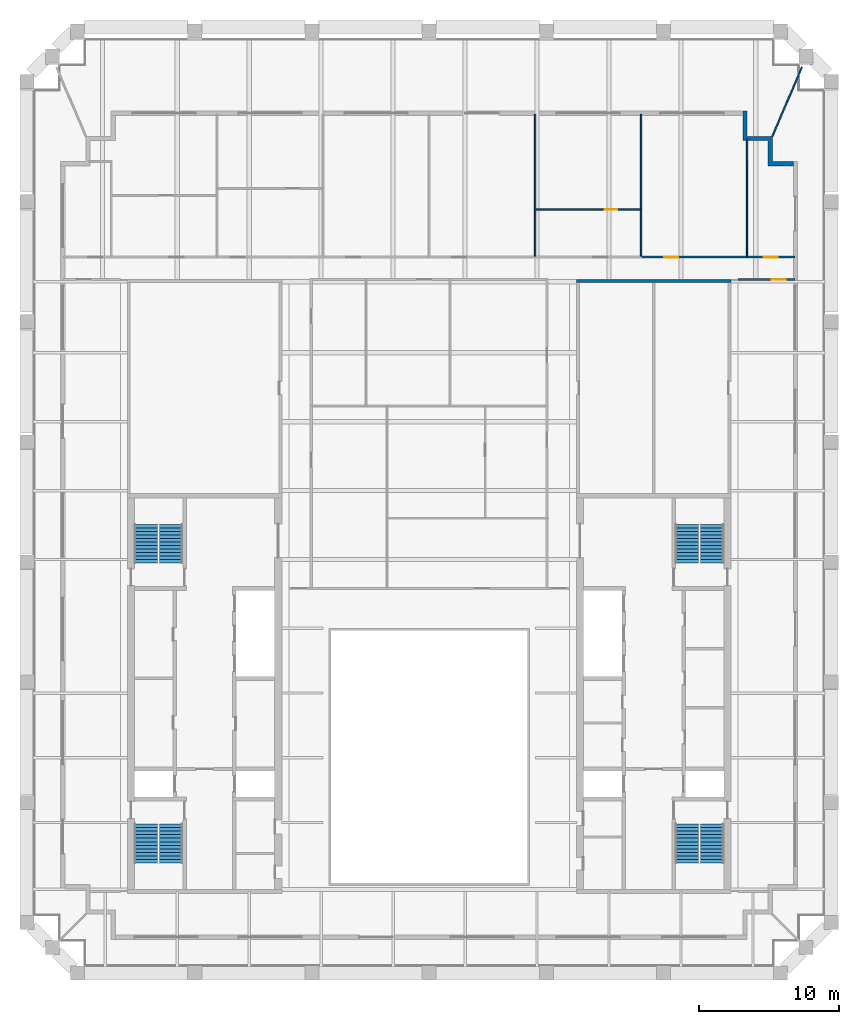
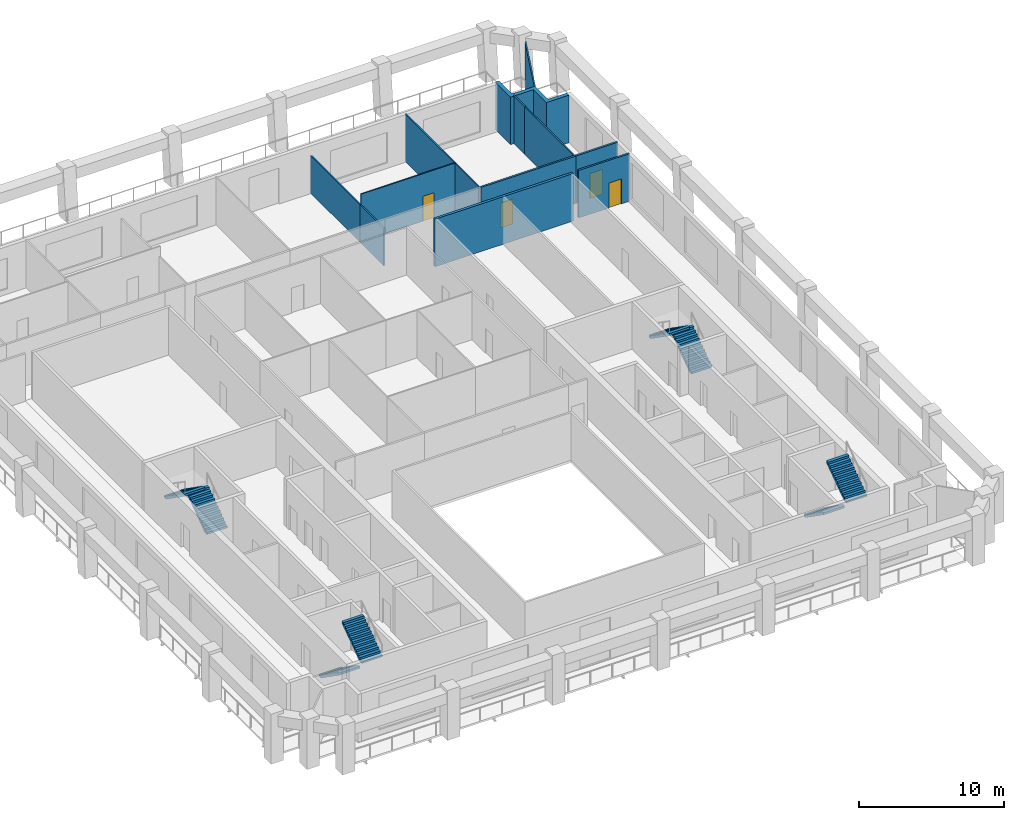
# One storey, part 7 of 8: 13 walls, 8 stair flights, 4 doors, 4 openings, 4 elements without a shape of their own.
"""IFC4 building model written with IfcOpenShell, lengths in metres."""

from ifc_helpers import new_model, si_unit, direction, frame, frame_2d, origin, place, context, subcontext, project, spatial, polyline, rectangle, outline, extrude, material, layer, layer_set, type_object, element, fill, aggregate, save


model = new_model("IFC4")

# Units and contexts
model_context = context("Model", 3, precision=1e-05, world=origin(), true_north=direction((0.0, 1.0)))
body_context = subcontext(model_context, "Body", "Model", "MODEL_VIEW")
ifc_project = project(units=[si_unit("LENGTHUNIT", "METRE"), si_unit("AREAUNIT", "SQUARE_METRE"), si_unit("VOLUMEUNIT", "CUBIC_METRE"), si_unit("PLANEANGLEUNIT", "RADIAN"), si_unit("MASSUNIT", "GRAM", prefix="KILO")], contexts=[model_context])

# Site, building, storey
site_placement = place(None, origin())
site = spatial("IfcSite", under=ifc_project, at=site_placement, CompositionType="ELEMENT")
building_placement = place(site_placement, origin())
building = spatial("IfcBuilding", under=site, at=building_placement, Name="Ogive Exchange Tower", CompositionType="ELEMENT")
storey_placement = place(building_placement, frame((0.0, 0.0, 338.39990234375)))
storey = spatial("IfcBuildingStorey", under=building, at=storey_placement, Name="L74", CompositionType="ELEMENT", Elevation=338.39990234375)

# Wall, opening, door
ifc_material_1 = material(Name="Fire partition EI 60 150")
ifc_layer_1 = layer(ifc_material_1, 0.14990234375)
ifc_layer_set_1 = layer_set([ifc_layer_1], Name="Fire partition EI 60 150")
wall_type_1 = type_object("IfcWallType", Name="Fire partition EI 60 150", PredefinedType="PARTITIONING", material=ifc_layer_set_1)
wall_1_placement = place(storey_placement, frame((15.14990234375, 42.60009765625, 0.0), z_axis=(0.0, 0.0, 1.0), x_axis=(1.0, 0.0, 0.0)))
wall_1 = element("IfcWall", 1, at=wall_1_placement, inside=storey, type_object=wall_type_1, Name="L74-PWL-046", PredefinedType="PARTITIONING", context=body_context, shape_type="SweptSolid", body=[
    extrude(rectangle(XDim=7.550048828125, YDim=0.14990234375, at=frame_2d((3.77490234375, 0.0))), origin(), (0.0, 0.0, 1.0), 4.0),
])
opening_1_placement = place(wall_1_placement, frame((1.60009765625, 0.0, 0.0)))
opening_1 = element("IfcOpeningElement", 2, at=opening_1_placement, cuts=wall_1, Name="Opening L74-I06", PredefinedType="OPENING", context=body_context, shape_type="SweptSolid", body=[
    extrude(rectangle(XDim=1.0, YDim=2.10009765625, at=frame_2d((0.5, 1.050048828125))), frame((0.0, 0.0849609375, 0.0), z_axis=(0.0, -1.0, 0.0), x_axis=(1.0, 0.0, 0.0)), (0.0, 0.0, 1.0), 0.169921875),
])
ifc_material_2 = material(Name="Fire door FD 30S 1000 x 2100")
door_type_1 = type_object("IfcDoorType", Name="Fire door FD 30S 1000 x 2100", OperationType="NOTDEFINED", PredefinedType="DOOR", material=ifc_material_2)
door_1_placement = place(opening_1_placement, origin())
door_1 = element("IfcDoor", 3, at=door_1_placement, inside=storey, type_object=door_type_1, Name="L74-IDR-006", ObjectType="DT3", OperationType="SINGLE_SWING_RIGHT", OverallHeight=2.10009765625, OverallWidth=1.0, PredefinedType="DOOR", context=body_context, shape_type="SweptSolid", body=[
    extrude(rectangle(XDim=1.0, YDim=2.10009765625, at=frame_2d((0.5, 1.050048828125))), frame((0.0, 0.02490234375, 0.0), z_axis=(0.0, -1.0, 0.0), x_axis=(1.0, 0.0, 0.0)), (0.0, 0.0, 1.0), 0.050048828125),
])
fill(opening_1, door_1)

wall_2_placement = place(storey_placement, frame((22.699951171875, 42.60009765625, 0.0), z_axis=(0.0, 0.0, 1.0), x_axis=(1.0, 0.0, 0.0)))
wall_2 = element("IfcWall", 4, at=wall_2_placement, inside=storey, type_object=wall_type_1, Name="L74-PWL-052", PredefinedType="PARTITIONING", context=body_context, shape_type="SweptSolid", body=[
    extrude(rectangle(XDim=3.35009765625, YDim=0.14990234375, at=frame_2d((1.675048828125, 0.0))), origin(), (0.0, 0.0, 1.0), 4.0),
])
opening_2_placement = place(wall_2_placement, frame((1.14990234375, 0.0, 0.0)))
opening_2 = element("IfcOpeningElement", 5, at=opening_2_placement, cuts=wall_2, Name="Opening L74-I05", PredefinedType="OPENING", context=body_context, shape_type="SweptSolid", body=[
    extrude(rectangle(XDim=1.0, YDim=2.10009765625, at=frame_2d((0.5, 1.050048828125))), frame((0.0, 0.0849609375, 0.0), z_axis=(0.0, -1.0, 0.0), x_axis=(1.0, 0.0, 0.0)), (0.0, 0.0, 1.0), 0.169921875),
])
door_2_placement = place(opening_2_placement, origin())
door_2 = element("IfcDoor", 6, at=door_2_placement, inside=storey, type_object=door_type_1, Name="L74-IDR-005", ObjectType="DT3", OperationType="SINGLE_SWING_RIGHT", OverallHeight=2.10009765625, OverallWidth=1.0, PredefinedType="DOOR", context=body_context, shape_type="SweptSolid", body=[
    extrude(rectangle(XDim=1.0, YDim=2.10009765625, at=frame_2d((0.5, 1.050048828125))), frame((0.0, 0.02490234375, 0.0), z_axis=(0.0, -1.0, 0.0), x_axis=(1.0, 0.0, 0.0)), (0.0, 0.0, 1.0), 0.050048828125),
])
fill(opening_2, door_2)

wall_3_placement = place(storey_placement, frame((26.050048828125, 41.0, 0.0), z_axis=(0.0, 0.0, 1.0), x_axis=(-1.0, 0.0, 0.0)))
wall_3 = element("IfcWall", 7, at=wall_3_placement, inside=storey, type_object=wall_type_1, Name="L74-PWL-054", PredefinedType="PARTITIONING", context=body_context, shape_type="SweptSolid", body=[
    extrude(rectangle(XDim=4.050048828125, YDim=0.14990234375, at=frame_2d((2.02490234375, 0.0))), origin(), (0.0, 0.0, 1.0), 4.0),
])
opening_3_placement = place(wall_3_placement, frame((0.64990234375, 0.0, 0.0)))
opening_3 = element("IfcOpeningElement", 8, at=opening_3_placement, cuts=wall_3, Name="Opening L74-I20", PredefinedType="OPENING", context=body_context, shape_type="SweptSolid", body=[
    extrude(rectangle(XDim=1.0, YDim=2.10009765625, at=frame_2d((0.5, 1.050048828125))), frame((0.0, 0.0849609375, 0.0), z_axis=(0.0, -1.0, 0.0), x_axis=(1.0, 0.0, 0.0)), (0.0, 0.0, 1.0), 0.169921875),
])
door_3_placement = place(opening_3_placement, origin())
door_3 = element("IfcDoor", 9, at=door_3_placement, inside=storey, type_object=door_type_1, Name="L74-IDR-020", ObjectType="DT3", OperationType="SINGLE_SWING_RIGHT", OverallHeight=2.10009765625, OverallWidth=1.0, PredefinedType="DOOR", context=body_context, shape_type="SweptSolid", body=[
    extrude(rectangle(XDim=1.0, YDim=2.10009765625, at=frame_2d((0.5, 1.050048828125))), frame((0.0, 0.02490234375, 0.0), z_axis=(0.0, -1.0, 0.0), x_axis=(1.0, 0.0, 0.0)), (0.0, 0.0, 1.0), 0.050048828125),
])
fill(opening_3, door_3)

# Walls
ifc_material_3 = material(Name="Precast concrete C40/50", Category="concrete")
ifc_layer_2 = layer(ifc_material_3, 0.300048828125)
ifc_layer_set_2 = layer_set([ifc_layer_2], Name="Limestone-faced wall 300")
wall_type_2 = type_object("IfcWallType", Name="Limestone-faced wall 300", PredefinedType="STANDARD", material=ifc_layer_set_2)
wall_4_placement = place(storey_placement, origin())
element("IfcWall", 10, at=wall_4_placement, inside=storey, type_object=wall_type_2, Name="External corner wall C2", PredefinedType="STANDARD", context=body_context, shape_type="SweptSolid", body=[
    extrude(outline(polyline([(24.14990234375, 50.89990234375), (22.35009765625, 50.89990234375), (22.35009765625, 53.0), (22.64990234375, 53.0), (22.64990234375, 51.199951171875), (24.449951171875, 51.199951171875), (24.449951171875, 49.39990234375), (25.949951171875, 49.39990234375), (25.949951171875, 49.10009765625), (24.14990234375, 49.10009765625), (24.14990234375, 50.89990234375)])), origin(), (0.0, 0.0, 1.0), 4.0),
])
ifc_material_4 = material(Name="Laminated safety glass in steel frame", Category="steel")
ifc_layer_3 = layer(ifc_material_4, 0.10009765625)
ifc_layer_set_3 = layer_set([ifc_layer_3], Name="Loggia end screen 100")
wall_type_3 = type_object("IfcWallType", Name="Loggia end screen 100", PredefinedType="STANDARD", material=ifc_layer_set_3)
wall_5_placement = place(storey_placement, frame((24.449951171875, 51.199951171875, -0.0498046875), z_axis=(0.0, 0.0, 1.0), x_axis=(0.392867927022, 0.919594906422, 0.0)))
element("IfcWall", 11, at=wall_5_placement, inside=storey, type_object=wall_type_3, Name="Loggia end screen C2", PredefinedType="STANDARD", context=body_context, shape_type="SweptSolid", body=[
    extrude(rectangle(XDim=5.38232421875, YDim=0.10009765625, at=frame_2d((2.691162109375, 0.0))), origin(), (0.0, 0.0, 1.0), 4.0498046875),
])
ifc_material_5 = material(Name="Partition 100 gypsum")
ifc_layer_4 = layer(ifc_material_5, 0.10009765625)
ifc_layer_set_4 = layer_set([ifc_layer_4], Name="Partition 100 gypsum")
wall_type_4 = type_object("IfcWallType", Name="Partition 100 gypsum", PredefinedType="PARTITIONING", material=ifc_layer_set_4)
wall_6_placement = place(storey_placement, frame((7.550048828125, 45.949951171875, 0.0), z_axis=(0.0, 0.0, 1.0), x_axis=(0.0, -1.0, 0.0)))
element("IfcWall", 12, at=wall_6_placement, inside=storey, type_object=wall_type_4, Name="L74-PWL-039", PredefinedType="PARTITIONING", context=body_context, shape_type="SweptSolid", body=[
    extrude(rectangle(XDim=3.27490234375, YDim=0.10009765625, at=frame_2d((1.637451171875, 0.0))), origin(), (0.0, 0.0, 1.0), 3.1640625),
])
wall_7_placement = place(storey_placement, frame((7.550048828125, 52.800048828125, 0.0), z_axis=(0.0, 0.0, 1.0), x_axis=(0.0, -1.0, 0.0)))
element("IfcWall", 13, at=wall_7_placement, inside=storey, type_object=wall_type_4, Name="L74-PWL-040", PredefinedType="PARTITIONING", context=body_context, shape_type="SweptSolid", body=[
    extrude(rectangle(XDim=6.85009765625, YDim=0.10009765625, at=frame_2d((3.425048828125, 0.0))), origin(), (0.0, 0.0, 1.0), 3.1640625),
])

# Wall, opening, door
wall_8_placement = place(storey_placement, frame((15.14990234375, 46.0, 0.0), z_axis=(0.0, 0.0, 1.0), x_axis=(-1.0, 0.0, 0.0)))
wall_8 = element("IfcWall", 14, at=wall_8_placement, inside=storey, type_object=wall_type_4, Name="L74-PWL-047", PredefinedType="PARTITIONING", context=body_context, shape_type="SweptSolid", body=[
    extrude(rectangle(XDim=7.5498046875, YDim=0.10009765625, at=frame_2d((3.77490234375, 0.0))), origin(), (0.0, 0.0, 1.0), 4.0),
])
opening_4_placement = place(wall_8_placement, frame((1.75, 0.0, 0.0)))
opening_4 = element("IfcOpeningElement", 15, at=opening_4_placement, cuts=wall_8, Name="Opening L74-I03", PredefinedType="OPENING", context=body_context, shape_type="SweptSolid", body=[
    extrude(rectangle(XDim=0.89990234375, YDim=2.10009765625, at=frame_2d((0.449951171875, 1.050048828125))), frame((0.0, 0.06005859375, 0.0), z_axis=(0.0, -1.0, 0.0), x_axis=(1.0, 0.0, 0.0)), (0.0, 0.0, 1.0), 0.1201171875),
])
ifc_material_6 = material(Name="Door 900 x 2100")
door_type_2 = type_object("IfcDoorType", Name="Door 900 x 2100", OperationType="NOTDEFINED", PredefinedType="DOOR", material=ifc_material_6)
door_4_placement = place(opening_4_placement, origin())
door_4 = element("IfcDoor", 16, at=door_4_placement, inside=storey, type_object=door_type_2, Name="L74-IDR-003", ObjectType="DT1", OperationType="SINGLE_SWING_RIGHT", OverallHeight=2.10009765625, OverallWidth=0.89990234375, PredefinedType="DOOR", context=body_context, shape_type="SweptSolid", body=[
    extrude(rectangle(XDim=0.89990234375, YDim=2.10009765625, at=frame_2d((0.449951171875, 1.050048828125))), frame((0.0, 0.02490234375, 0.0), z_axis=(0.0, -1.0, 0.0), x_axis=(1.0, 0.0, 0.0)), (0.0, 0.0, 1.0), 0.050048828125),
])
fill(opening_4, door_4)

# Walls
wall_9_placement = place(storey_placement, frame((15.10009765625, 45.949951171875, 0.0), z_axis=(0.0, 0.0, 1.0), x_axis=(0.0, -1.0, 0.0)))
element("IfcWall", 17, at=wall_9_placement, inside=storey, type_object=wall_type_4, Name="L74-PWL-048", PredefinedType="PARTITIONING", context=body_context, shape_type="SweptSolid", body=[
    extrude(rectangle(XDim=3.27490234375, YDim=0.10009765625, at=frame_2d((1.637451171875, 0.0))), origin(), (0.0, 0.0, 1.0), 4.0),
])
wall_10_placement = place(storey_placement, frame((15.10009765625, 52.800048828125, 0.0), z_axis=(0.0, 0.0, 1.0), x_axis=(0.0, -1.0, 0.0)))
element("IfcWall", 18, at=wall_10_placement, inside=storey, type_object=wall_type_4, Name="L74-PWL-049", PredefinedType="PARTITIONING", context=body_context, shape_type="SweptSolid", body=[
    extrude(rectangle(XDim=6.75, YDim=0.10009765625, at=frame_2d((3.375, 0.0))), origin(), (0.0, 0.0, 1.0), 4.0),
])
wall_11_placement = place(storey_placement, frame((22.64990234375, 42.675048828125, 0.0), z_axis=(0.0, 0.0, 1.0), x_axis=(0.0, 1.0, 0.0)))
element("IfcWall", 19, at=wall_11_placement, inside=storey, type_object=wall_type_4, Name="L74-PWL-051", PredefinedType="PARTITIONING", context=body_context, shape_type="SweptSolid", body=[
    extrude(rectangle(XDim=6.73486328125, YDim=0.10009765625, at=frame_2d((3.367431640625, 0.0))), origin(), (0.0, 0.0, 1.0), 4.0),
])
wall_12_placement = place(storey_placement, frame((22.659912109375, 49.409912109375, 0.0), z_axis=(0.0, 0.0, 1.0), x_axis=(0.0, 1.0, 0.0)))
element("IfcWall", 20, at=wall_12_placement, inside=storey, type_object=wall_type_4, Name="L74-PWL-053", PredefinedType="PARTITIONING", context=body_context, shape_type="SweptSolid", body=[
    extrude(rectangle(XDim=1.590087890625, YDim=0.10009765625, at=frame_2d((0.794921875, 0.0))), origin(), (0.0, 0.0, 1.0), 4.0),
])
ifc_material_7 = material(Name="Concrete C70/85", Category="concrete")
ifc_layer_5 = layer(ifc_material_7, 0.199951171875)
ifc_layer_set_5 = layer_set([ifc_layer_5], Name="RC core wall 200 C70/85")
wall_type_5 = type_object("IfcWallType", Name="RC core wall 200 C70/85", PredefinedType="SHEAR", material=ifc_layer_set_5)
wall_13_placement = place(storey_placement, frame((10.5, 40.89990234375, 0.0), z_axis=(0.0, 0.0, 1.0), x_axis=(1.0, 0.0, 0.0)))
element("IfcWall", 21, at=wall_13_placement, inside=storey, type_object=wall_type_5, Name="E annex N end wall", PredefinedType="SHEAR", context=body_context, shape_type="SweptSolid", body=[
    extrude(rectangle(XDim=11.0, YDim=0.199951171875, at=frame_2d((5.5, 0.0))), origin(), (0.0, 0.0, 1.0), 4.0),
])

# Stair, stair flights
ifc_material_8 = material(Name="Concrete C40/50", Category="concrete")
stair_type = type_object("IfcStairType", Name="Exit stair 1650 wide", PredefinedType="HALF_TURN_STAIR", material=ifc_material_8)
stair_1_placement = place(storey_placement, origin())
stair_1 = element("IfcStair", 22, at=stair_1_placement, inside=storey, type_object=stair_type, Name="L74 exit stair ST1", PredefinedType="HALF_TURN_STAIR")
stair_flight_type = type_object("IfcStairFlightType", Name="Stair flight 1650 wide", PredefinedType="STRAIGHT", material=ifc_material_8)
stair_flight_1_placement = place(storey_placement, frame((-20.175048828125, 2.199951171875, 0.0), z_axis=(0.0, 0.0, 1.0), x_axis=(0.0, -1.0, 0.0)))
stair_flight_1 = element("IfcStairFlight", 23, at=stair_flight_1_placement, type_object=stair_flight_type, Name="ST1 flight 1", NumberOfRisers=12, NumberOfTreads=11, PredefinedType="STRAIGHT", RiserHeight=0.175, TreadLength=0.25, context=body_context, shape_type="SweptSolid", body=[
    extrude(outline(polyline([(0.0, 0.0), (0.0, 0.175048828125), (0.25, 0.175048828125), (0.25, 0.35009765625), (0.5, 0.35009765625), (0.5, 0.52490234375), (0.75, 0.52490234375), (0.75, 0.699951171875), (1.0, 0.699951171875), (1.0, 0.875), (1.25, 0.875), (1.25, 1.050048828125), (1.5, 1.050048828125), (1.5, 1.22509765625), (1.75, 1.22509765625), (1.75, 1.39990234375), (2.0, 1.39990234375), (2.0, 1.574951171875), (2.25, 1.574951171875), (2.25, 1.75), (2.5, 1.75), (2.5, 1.925048828125), (2.75, 1.925048828125), (2.75, 2.10009765625), (2.75, 1.741943359375), (0.261474609375, 0.0), (0.0, 0.0)])), frame((0.0, 0.824951171875, 0.0), z_axis=(0.0, -1.0, 0.0), x_axis=(1.0, 0.0, 0.0)), (0.0, 0.0, 1.0), 1.64990234375),
])
stair_flight_2_placement = place(storey_placement, frame((-18.375, -0.550048828125, 2.10009765625), z_axis=(0.0, 0.0, 1.0), x_axis=(0.0, 1.0, 0.0)))
stair_flight_2 = element("IfcStairFlight", 24, at=stair_flight_2_placement, type_object=stair_flight_type, Name="ST1 flight 2", NumberOfRisers=12, NumberOfTreads=11, PredefinedType="STRAIGHT", RiserHeight=0.175, TreadLength=0.25, context=body_context, shape_type="SweptSolid", body=[
    extrude(outline(polyline([(0.0, 0.0), (0.0, 0.175048828125), (0.25, 0.175048828125), (0.25, 0.35009765625), (0.5, 0.35009765625), (0.5, 0.52490234375), (0.75, 0.52490234375), (0.75, 0.699951171875), (1.0, 0.699951171875), (1.0, 0.875), (1.25, 0.875), (1.25, 1.050048828125), (1.5, 1.050048828125), (1.5, 1.22509765625), (1.75, 1.22509765625), (1.75, 1.39990234375), (2.0, 1.39990234375), (2.0, 1.574951171875), (2.25, 1.574951171875), (2.25, 1.75), (2.5, 1.75), (2.5, 1.925048828125), (2.75, 1.925048828125), (2.75, 2.10009765625), (2.75, 1.741943359375), (0.261474609375, 0.0), (0.0, 0.0)])), frame((0.0, 0.824951171875, 0.0), z_axis=(0.0, -1.0, 0.0), x_axis=(1.0, 0.0, 0.0)), (0.0, 0.0, 1.0), 1.64990234375),
])
aggregate(stair_1, [stair_flight_1, stair_flight_2])

stair_2_placement = place(storey_placement, origin())
stair_2 = element("IfcStair", 25, at=stair_2_placement, inside=storey, type_object=stair_type, Name="L74 exit stair ST2", PredefinedType="HALF_TURN_STAIR")
stair_flight_3_placement = place(storey_placement, frame((-18.375, 20.800048828125, 0.0), z_axis=(0.0, 0.0, 1.0), x_axis=(0.0, 1.0, 0.0)))
stair_flight_3 = element("IfcStairFlight", 26, at=stair_flight_3_placement, type_object=stair_flight_type, Name="ST2 flight 1", NumberOfRisers=12, NumberOfTreads=11, PredefinedType="STRAIGHT", RiserHeight=0.175, TreadLength=0.25, context=body_context, shape_type="SweptSolid", body=[
    extrude(outline(polyline([(0.0, 0.0), (0.0, 0.175048828125), (0.25, 0.175048828125), (0.25, 0.35009765625), (0.5, 0.35009765625), (0.5, 0.52490234375), (0.75, 0.52490234375), (0.75, 0.699951171875), (1.0, 0.699951171875), (1.0, 0.875), (1.25, 0.875), (1.25, 1.050048828125), (1.5, 1.050048828125), (1.5, 1.22509765625), (1.75, 1.22509765625), (1.75, 1.39990234375), (2.0, 1.39990234375), (2.0, 1.574951171875), (2.25, 1.574951171875), (2.25, 1.75), (2.5, 1.75), (2.5, 1.925048828125), (2.75, 1.925048828125), (2.75, 2.10009765625), (2.75, 1.741943359375), (0.261474609375, 0.0), (0.0, 0.0)])), frame((0.0, 0.824951171875, 0.0), z_axis=(0.0, -1.0, 0.0), x_axis=(1.0, 0.0, 0.0)), (0.0, 0.0, 1.0), 1.64990234375),
])
stair_flight_4_placement = place(storey_placement, frame((-20.175048828125, 23.550048828125, 2.10009765625), z_axis=(0.0, 0.0, 1.0), x_axis=(0.0, -1.0, 0.0)))
stair_flight_4 = element("IfcStairFlight", 27, at=stair_flight_4_placement, type_object=stair_flight_type, Name="ST2 flight 2", NumberOfRisers=12, NumberOfTreads=11, PredefinedType="STRAIGHT", RiserHeight=0.175, TreadLength=0.25, context=body_context, shape_type="SweptSolid", body=[
    extrude(outline(polyline([(0.0, 0.0), (0.0, 0.175048828125), (0.25, 0.175048828125), (0.25, 0.35009765625), (0.5, 0.35009765625), (0.5, 0.52490234375), (0.75, 0.52490234375), (0.75, 0.699951171875), (1.0, 0.699951171875), (1.0, 0.875), (1.25, 0.875), (1.25, 1.050048828125), (1.5, 1.050048828125), (1.5, 1.22509765625), (1.75, 1.22509765625), (1.75, 1.39990234375), (2.0, 1.39990234375), (2.0, 1.574951171875), (2.25, 1.574951171875), (2.25, 1.75), (2.5, 1.75), (2.5, 1.925048828125), (2.75, 1.925048828125), (2.75, 2.10009765625), (2.75, 1.741943359375), (0.261474609375, 0.0), (0.0, 0.0)])), frame((0.0, 0.824951171875, 0.0), z_axis=(0.0, -1.0, 0.0), x_axis=(1.0, 0.0, 0.0)), (0.0, 0.0, 1.0), 1.64990234375),
])
aggregate(stair_2, [stair_flight_3, stair_flight_4])

stair_3_placement = place(storey_placement, origin())
stair_3 = element("IfcStair", 28, at=stair_3_placement, inside=storey, type_object=stair_type, Name="L74 exit stair ST3", PredefinedType="HALF_TURN_STAIR")
stair_flight_5_placement = place(storey_placement, frame((18.375, 2.199951171875, 0.0), z_axis=(0.0, 0.0, 1.0), x_axis=(0.0, -1.0, 0.0)))
stair_flight_5 = element("IfcStairFlight", 29, at=stair_flight_5_placement, type_object=stair_flight_type, Name="ST3 flight 1", NumberOfRisers=12, NumberOfTreads=11, PredefinedType="STRAIGHT", RiserHeight=0.175, TreadLength=0.25, context=body_context, shape_type="SweptSolid", body=[
    extrude(outline(polyline([(0.0, 0.0), (0.0, 0.175048828125), (0.25, 0.175048828125), (0.25, 0.35009765625), (0.5, 0.35009765625), (0.5, 0.52490234375), (0.75, 0.52490234375), (0.75, 0.699951171875), (1.0, 0.699951171875), (1.0, 0.875), (1.25, 0.875), (1.25, 1.050048828125), (1.5, 1.050048828125), (1.5, 1.22509765625), (1.75, 1.22509765625), (1.75, 1.39990234375), (2.0, 1.39990234375), (2.0, 1.574951171875), (2.25, 1.574951171875), (2.25, 1.75), (2.5, 1.75), (2.5, 1.925048828125), (2.75, 1.925048828125), (2.75, 2.10009765625), (2.75, 1.741943359375), (0.261474609375, 0.0), (0.0, 0.0)])), frame((0.0, 0.824951171875, 0.0), z_axis=(0.0, -1.0, 0.0), x_axis=(1.0, 0.0, 0.0)), (0.0, 0.0, 1.0), 1.64990234375),
])
stair_flight_6_placement = place(storey_placement, frame((20.175048828125, -0.550048828125, 2.10009765625), z_axis=(0.0, 0.0, 1.0), x_axis=(0.0, 1.0, 0.0)))
stair_flight_6 = element("IfcStairFlight", 30, at=stair_flight_6_placement, type_object=stair_flight_type, Name="ST3 flight 2", NumberOfRisers=12, NumberOfTreads=11, PredefinedType="STRAIGHT", RiserHeight=0.175, TreadLength=0.25, context=body_context, shape_type="SweptSolid", body=[
    extrude(outline(polyline([(0.0, 0.0), (0.0, 0.175048828125), (0.25, 0.175048828125), (0.25, 0.35009765625), (0.5, 0.35009765625), (0.5, 0.52490234375), (0.75, 0.52490234375), (0.75, 0.699951171875), (1.0, 0.699951171875), (1.0, 0.875), (1.25, 0.875), (1.25, 1.050048828125), (1.5, 1.050048828125), (1.5, 1.22509765625), (1.75, 1.22509765625), (1.75, 1.39990234375), (2.0, 1.39990234375), (2.0, 1.574951171875), (2.25, 1.574951171875), (2.25, 1.75), (2.5, 1.75), (2.5, 1.925048828125), (2.75, 1.925048828125), (2.75, 2.10009765625), (2.75, 1.741943359375), (0.261474609375, 0.0), (0.0, 0.0)])), frame((0.0, 0.824951171875, 0.0), z_axis=(0.0, -1.0, 0.0), x_axis=(1.0, 0.0, 0.0)), (0.0, 0.0, 1.0), 1.64990234375),
])
aggregate(stair_3, [stair_flight_5, stair_flight_6])

stair_4_placement = place(storey_placement, origin())
stair_4 = element("IfcStair", 31, at=stair_4_placement, inside=storey, type_object=stair_type, Name="L74 exit stair ST4", PredefinedType="HALF_TURN_STAIR")
stair_flight_7_placement = place(storey_placement, frame((20.175048828125, 20.800048828125, 0.0), z_axis=(0.0, 0.0, 1.0), x_axis=(0.0, 1.0, 0.0)))
stair_flight_7 = element("IfcStairFlight", 32, at=stair_flight_7_placement, type_object=stair_flight_type, Name="ST4 flight 1", NumberOfRisers=12, NumberOfTreads=11, PredefinedType="STRAIGHT", RiserHeight=0.175, TreadLength=0.25, context=body_context, shape_type="SweptSolid", body=[
    extrude(outline(polyline([(0.0, 0.0), (0.0, 0.175048828125), (0.25, 0.175048828125), (0.25, 0.35009765625), (0.5, 0.35009765625), (0.5, 0.52490234375), (0.75, 0.52490234375), (0.75, 0.699951171875), (1.0, 0.699951171875), (1.0, 0.875), (1.25, 0.875), (1.25, 1.050048828125), (1.5, 1.050048828125), (1.5, 1.22509765625), (1.75, 1.22509765625), (1.75, 1.39990234375), (2.0, 1.39990234375), (2.0, 1.574951171875), (2.25, 1.574951171875), (2.25, 1.75), (2.5, 1.75), (2.5, 1.925048828125), (2.75, 1.925048828125), (2.75, 2.10009765625), (2.75, 1.741943359375), (0.261474609375, 0.0), (0.0, 0.0)])), frame((0.0, 0.824951171875, 0.0), z_axis=(0.0, -1.0, 0.0), x_axis=(1.0, 0.0, 0.0)), (0.0, 0.0, 1.0), 1.64990234375),
])
stair_flight_8_placement = place(storey_placement, frame((18.375, 23.550048828125, 2.10009765625), z_axis=(0.0, 0.0, 1.0), x_axis=(0.0, -1.0, 0.0)))
stair_flight_8 = element("IfcStairFlight", 33, at=stair_flight_8_placement, type_object=stair_flight_type, Name="ST4 flight 2", NumberOfRisers=12, NumberOfTreads=11, PredefinedType="STRAIGHT", RiserHeight=0.175, TreadLength=0.25, context=body_context, shape_type="SweptSolid", body=[
    extrude(outline(polyline([(0.0, 0.0), (0.0, 0.175048828125), (0.25, 0.175048828125), (0.25, 0.35009765625), (0.5, 0.35009765625), (0.5, 0.52490234375), (0.75, 0.52490234375), (0.75, 0.699951171875), (1.0, 0.699951171875), (1.0, 0.875), (1.25, 0.875), (1.25, 1.050048828125), (1.5, 1.050048828125), (1.5, 1.22509765625), (1.75, 1.22509765625), (1.75, 1.39990234375), (2.0, 1.39990234375), (2.0, 1.574951171875), (2.25, 1.574951171875), (2.25, 1.75), (2.5, 1.75), (2.5, 1.925048828125), (2.75, 1.925048828125), (2.75, 2.10009765625), (2.75, 1.741943359375), (0.261474609375, 0.0), (0.0, 0.0)])), frame((0.0, 0.824951171875, 0.0), z_axis=(0.0, -1.0, 0.0), x_axis=(1.0, 0.0, 0.0)), (0.0, 0.0, 1.0), 1.64990234375),
])
aggregate(stair_4, [stair_flight_7, stair_flight_8])

save(model, "model.ifc")
